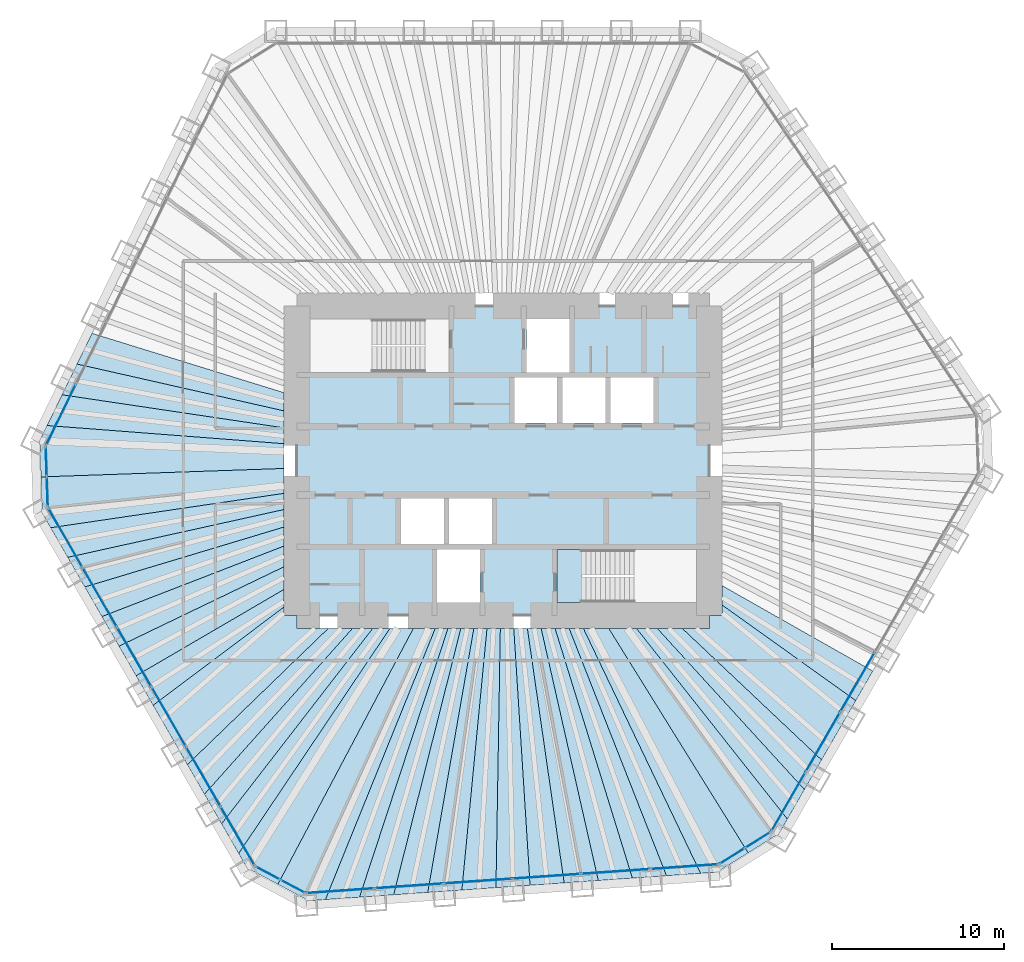
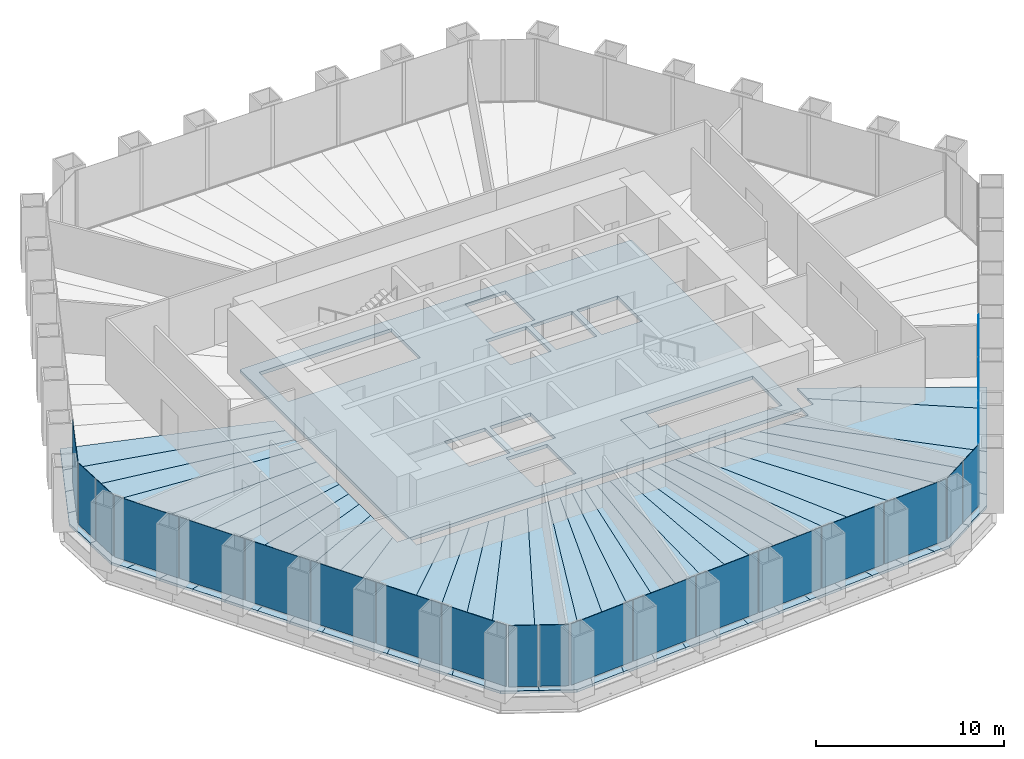
# One storey, part 8 of 13: 36 slabs, 22 plates, 8 elements without a shape of their own.
"""IFC4 building model written with IfcOpenShell, lengths in metres."""

from ifc_helpers import new_model, si_unit, direction, frame, origin, origin_2d, place, context, subcontext, project, spatial, polyline, rectangle, outline, extrude, material, layer, layer_set, type_object, element, aggregate, save


model = new_model("IFC4")

# Units and contexts
model_context = context("Model", 3, precision=1e-05, world=origin(), true_north=direction((0.0, 1.0)))
body_context = subcontext(model_context, "Body", "Model", "MODEL_VIEW")
ifc_project = project(units=[si_unit("LENGTHUNIT", "METRE"), si_unit("AREAUNIT", "SQUARE_METRE"), si_unit("VOLUMEUNIT", "CUBIC_METRE"), si_unit("PLANEANGLEUNIT", "RADIAN"), si_unit("MASSUNIT", "GRAM", prefix="KILO")], contexts=[model_context])

# Site, building, storey
site_placement = place(None, origin())
site = spatial("IfcSite", under=ifc_project, at=site_placement, CompositionType="ELEMENT")
building_placement = place(site_placement, origin())
building = spatial("IfcBuilding", under=site, at=building_placement, Name="Qingtian Harvest Tower", CompositionType="ELEMENT")
storey_placement = place(building_placement, frame((0.0, 0.0, 115.60009765625)))
storey = spatial("IfcBuildingStorey", under=building, at=storey_placement, Name="L23", CompositionType="ELEMENT", Elevation=115.60009765625)

# Slabs
ifc_material_1 = material(Name="Concrete fc' 35 MPa", Category="concrete")
ifc_layer_1 = layer(ifc_material_1, 0.169921875)
ifc_layer_set_1 = layer_set([ifc_layer_1], Name="Composite floor slab FS17 170")
slab_type_1 = type_object("IfcSlabType", Name="Composite floor slab FS17 170", PredefinedType="FLOOR", material=ifc_layer_set_1)
slab_1_placement = place(storey_placement, frame((0.0, 0.0, -0.170166015625)))
element("IfcSlab", 1, at=slab_1_placement, inside=storey, type_object=slab_type_1, Name="Floor slab L23 panel D01", PredefinedType="FLOOR", context=body_context, shape_type="SweptSolid", body=[
    extrude(outline(polyline([(-26.8935546875, -0.939208984375), (-12.75, -0.447998046875), (-12.75, -1.89599609375), (-26.333984375, -3.8984375), (-26.819580078125, -3.056884765625), (-26.8935546875, -0.939208984375)])), origin(), (0.0, 0.0, 1.0), 0.170166015625),
])
slab_2_placement = place(storey_placement, frame((0.0, 0.0, -0.170166015625)))
element("IfcSlab", 2, at=slab_2_placement, inside=storey, type_object=slab_type_1, Name="Floor slab L23 panel D02", PredefinedType="FLOOR", context=body_context, shape_type="SweptSolid", body=[
    extrude(outline(polyline([(-12.75, -2.838134765625), (-25.3388671875, -5.62158203125), (-26.333984375, -3.8984375), (-12.75, -1.89599609375), (-12.75, -2.838134765625)])), origin(), (0.0, 0.0, 1.0), 0.170166015625),
])
slab_3_placement = place(storey_placement, frame((0.0, 0.0, -0.170166015625)))
element("IfcSlab", 3, at=slab_3_placement, inside=storey, type_object=slab_type_1, Name="Floor slab L23 panel D03", PredefinedType="FLOOR", context=body_context, shape_type="SweptSolid", body=[
    extrude(outline(polyline([(-12.75, -3.857666015625), (-24.343994140625, -7.344970703125), (-25.3388671875, -5.62158203125), (-12.75, -2.838134765625), (-12.75, -3.857666015625)])), origin(), (0.0, 0.0, 1.0), 0.170166015625),
])
slab_4_placement = place(storey_placement, frame((0.0, 0.0, -0.170166015625)))
element("IfcSlab", 4, at=slab_4_placement, inside=storey, type_object=slab_type_1, Name="Floor slab L23 panel D04", PredefinedType="FLOOR", context=body_context, shape_type="SweptSolid", body=[
    extrude(outline(polyline([(-12.75, -4.9638671875), (-23.34912109375, -9.068115234375), (-24.343994140625, -7.344970703125), (-12.75, -3.857666015625), (-12.75, -4.9638671875)])), origin(), (0.0, 0.0, 1.0), 0.170166015625),
])
slab_5_placement = place(storey_placement, frame((0.0, 0.0, -0.170166015625)))
element("IfcSlab", 5, at=slab_5_placement, inside=storey, type_object=slab_type_1, Name="Floor slab L23 panel D05", PredefinedType="FLOOR", context=body_context, shape_type="SweptSolid", body=[
    extrude(outline(polyline([(-12.75, -6.1689453125), (-22.354248046875, -10.79150390625), (-23.34912109375, -9.068115234375), (-12.75, -4.9638671875), (-12.75, -6.1689453125)])), origin(), (0.0, 0.0, 1.0), 0.170166015625),
])
slab_6_placement = place(storey_placement, frame((0.0, 0.0, -0.170166015625)))
element("IfcSlab", 6, at=slab_6_placement, inside=storey, type_object=slab_type_1, Name="Floor slab L23 panel D06", PredefinedType="FLOOR", context=body_context, shape_type="SweptSolid", body=[
    extrude(outline(polyline([(-12.75, -7.486328125), (-21.359130859375, -12.5146484375), (-22.354248046875, -10.79150390625), (-12.75, -6.1689453125), (-12.75, -7.486328125)])), origin(), (0.0, 0.0, 1.0), 0.170166015625),
])
slab_7_placement = place(storey_placement, frame((0.0, 0.0, -0.170166015625)))
element("IfcSlab", 7, at=slab_7_placement, inside=storey, type_object=slab_type_1, Name="Floor slab L23 panel D07", PredefinedType="FLOOR", context=body_context, shape_type="SweptSolid", body=[
    extrude(outline(polyline([(-12.75, -8.512451171875), (-20.36865234375, -14.23046875), (-21.359130859375, -12.5146484375), (-12.75, -7.486328125), (-12.75, -8.512451171875)])), origin(), (0.0, 0.0, 1.0), 0.170166015625),
])
slab_8_placement = place(storey_placement, frame((0.0, 0.0, -0.170166015625)))
element("IfcSlab", 8, at=slab_8_placement, inside=storey, type_object=slab_type_1, Name="Floor slab L23 panel D09", PredefinedType="FLOOR", context=body_context, shape_type="SweptSolid", body=[
    extrude(outline(polyline([(-18.375, -17.683837890625), (-20.36865234375, -14.23046875), (-12.75, -8.512451171875), (-12.75, -9.0), (-12.0, -9.0), (-12.0, -9.75), (-10.168212890625, -9.75), (-18.375, -17.683837890625)])), origin(), (0.0, 0.0, 1.0), 0.170166015625),
])
slab_9_placement = place(storey_placement, frame((0.0, 0.0, -0.170166015625)))
element("IfcSlab", 9, at=slab_9_placement, inside=storey, type_object=slab_type_1, Name="Floor slab L23 panel D10", PredefinedType="FLOOR", context=body_context, shape_type="SweptSolid", body=[
    extrude(outline(polyline([(-8.759521484375, -9.75), (-17.3798828125, -19.4072265625), (-18.375, -17.683837890625), (-10.168212890625, -9.75), (-8.759521484375, -9.75)])), origin(), (0.0, 0.0, 1.0), 0.170166015625),
])
slab_10_placement = place(storey_placement, frame((0.0, 0.0, -0.170166015625)))
element("IfcSlab", 10, at=slab_10_placement, inside=storey, type_object=slab_type_1, Name="Floor slab L23 panel D11", PredefinedType="FLOOR", context=body_context, shape_type="SweptSolid", body=[
    extrude(outline(polyline([(-7.58203125, -9.75), (-16.385009765625, -21.13037109375), (-17.3798828125, -19.4072265625), (-8.759521484375, -9.75), (-7.58203125, -9.75)])), origin(), (0.0, 0.0, 1.0), 0.170166015625),
])
slab_11_placement = place(storey_placement, frame((0.0, 0.0, -0.170166015625)))
element("IfcSlab", 11, at=slab_11_placement, inside=storey, type_object=slab_type_1, Name="Floor slab L23 panel D12", PredefinedType="FLOOR", context=body_context, shape_type="SweptSolid", body=[
    extrude(outline(polyline([(-6.5830078125, -9.75), (-15.389892578125, -22.853759765625), (-16.385009765625, -21.13037109375), (-7.58203125, -9.75), (-6.5830078125, -9.75)])), origin(), (0.0, 0.0, 1.0), 0.170166015625),
])
slab_12_placement = place(storey_placement, frame((0.0, 0.0, -0.170166015625)))
element("IfcSlab", 12, at=slab_12_placement, inside=storey, type_object=slab_type_1, Name="Floor slab L23 panel D13", PredefinedType="FLOOR", context=body_context, shape_type="SweptSolid", body=[
    extrude(outline(polyline([(-6.5830078125, -9.75), (-5.21875, -9.75), (-13.107421875, -24.650634765625), (-14.904052734375, -23.6953125), (-15.389892578125, -22.853759765625), (-6.5830078125, -9.75)])), origin(), (0.0, 0.0, 1.0), 0.170166015625),
])
slab_13_placement = place(storey_placement, frame((0.0, 0.0, -0.170166015625)))
element("IfcSlab", 13, at=slab_13_placement, inside=storey, type_object=slab_type_1, Name="Floor slab L23 panel D14", PredefinedType="FLOOR", context=body_context, shape_type="SweptSolid", body=[
    extrude(outline(polyline([(-5.21875, -9.75), (-3.947021484375, -9.75), (-10.3408203125, -25.53857421875), (-11.31005859375, -25.606201171875), (-13.107421875, -24.650634765625), (-5.21875, -9.75)])), origin(), (0.0, 0.0, 1.0), 0.170166015625),
])
slab_14_placement = place(storey_placement, frame((0.0, 0.0, -0.170166015625)))
element("IfcSlab", 14, at=slab_14_placement, inside=storey, type_object=slab_type_1, Name="Floor slab L23 panel D15", PredefinedType="FLOOR", context=body_context, shape_type="SweptSolid", body=[
    extrude(outline(polyline([(-3.20654296875, -9.75), (-8.35595703125, -25.399658203125), (-10.3408203125, -25.53857421875), (-3.947021484375, -9.75), (-3.20654296875, -9.75)])), origin(), (0.0, 0.0, 1.0), 0.170166015625),
])
slab_15_placement = place(storey_placement, frame((0.0, 0.0, -0.170166015625)))
element("IfcSlab", 15, at=slab_15_placement, inside=storey, type_object=slab_type_1, Name="Floor slab L23 panel D16", PredefinedType="FLOOR", context=body_context, shape_type="SweptSolid", body=[
    extrude(outline(polyline([(-2.4580078125, -9.75), (-6.370849609375, -25.260986328125), (-8.35595703125, -25.399658203125), (-3.20654296875, -9.75), (-2.4580078125, -9.75)])), origin(), (0.0, 0.0, 1.0), 0.170166015625),
])
slab_16_placement = place(storey_placement, frame((0.0, 0.0, -0.170166015625)))
element("IfcSlab", 16, at=slab_16_placement, inside=storey, type_object=slab_type_1, Name="Floor slab L23 panel D17", PredefinedType="FLOOR", context=body_context, shape_type="SweptSolid", body=[
    extrude(outline(polyline([(-1.701171875, -9.75), (-4.385986328125, -25.1220703125), (-6.370849609375, -25.260986328125), (-2.4580078125, -9.75), (-1.701171875, -9.75)])), origin(), (0.0, 0.0, 1.0), 0.170166015625),
])
slab_17_placement = place(storey_placement, frame((0.0, 0.0, -0.170166015625)))
element("IfcSlab", 17, at=slab_17_placement, inside=storey, type_object=slab_type_1, Name="Floor slab L23 panel D18", PredefinedType="FLOOR", context=body_context, shape_type="SweptSolid", body=[
    extrude(outline(polyline([(-0.93603515625, -9.75), (-2.40087890625, -24.9833984375), (-4.385986328125, -25.1220703125), (-1.701171875, -9.75), (-0.93603515625, -9.75)])), origin(), (0.0, 0.0, 1.0), 0.170166015625),
])
slab_18_placement = place(storey_placement, frame((0.0, 0.0, -0.170166015625)))
element("IfcSlab", 18, at=slab_18_placement, inside=storey, type_object=slab_type_1, Name="Floor slab L23 panel D19", PredefinedType="FLOOR", context=body_context, shape_type="SweptSolid", body=[
    extrude(outline(polyline([(-0.162109375, -9.75), (-0.416015625, -24.844482421875), (-2.40087890625, -24.9833984375), (-0.93603515625, -9.75), (-0.162109375, -9.75)])), origin(), (0.0, 0.0, 1.0), 0.170166015625),
])
slab_19_placement = place(storey_placement, frame((0.0, 0.0, -0.170166015625)))
element("IfcSlab", 19, at=slab_19_placement, inside=storey, type_object=slab_type_1, Name="Floor slab L23 panel D20", PredefinedType="FLOOR", context=body_context, shape_type="SweptSolid", body=[
    extrude(outline(polyline([(0.620361328125, -9.75), (1.569091796875, -24.705810546875), (-0.416015625, -24.844482421875), (-0.162109375, -9.75), (0.620361328125, -9.75)])), origin(), (0.0, 0.0, 1.0), 0.170166015625),
])
slab_20_placement = place(storey_placement, frame((0.0, 0.0, -0.170166015625)))
element("IfcSlab", 20, at=slab_20_placement, inside=storey, type_object=slab_type_1, Name="Floor slab L23 panel D21", PredefinedType="FLOOR", context=body_context, shape_type="SweptSolid", body=[
    extrude(outline(polyline([(1.41162109375, -9.75), (3.553955078125, -24.56689453125), (1.569091796875, -24.705810546875), (0.620361328125, -9.75), (1.41162109375, -9.75)])), origin(), (0.0, 0.0, 1.0), 0.170166015625),
])
slab_21_placement = place(storey_placement, frame((0.0, 0.0, -0.170166015625)))
element("IfcSlab", 21, at=slab_21_placement, inside=storey, type_object=slab_type_1, Name="Floor slab L23 panel D22", PredefinedType="FLOOR", context=body_context, shape_type="SweptSolid", body=[
    extrude(outline(polyline([(2.2119140625, -9.75), (5.5390625, -24.42822265625), (3.553955078125, -24.56689453125), (1.41162109375, -9.75), (2.2119140625, -9.75)])), origin(), (0.0, 0.0, 1.0), 0.170166015625),
])
slab_22_placement = place(storey_placement, frame((0.0, 0.0, -0.170166015625)))
element("IfcSlab", 22, at=slab_22_placement, inside=storey, type_object=slab_type_1, Name="Floor slab L23 panel D23", PredefinedType="FLOOR", context=body_context, shape_type="SweptSolid", body=[
    extrude(outline(polyline([(3.021484375, -9.75), (7.524169921875, -24.289306640625), (5.5390625, -24.42822265625), (2.2119140625, -9.75), (3.021484375, -9.75)])), origin(), (0.0, 0.0, 1.0), 0.170166015625),
])
slab_23_placement = place(storey_placement, frame((0.0, 0.0, -0.170166015625)))
element("IfcSlab", 23, at=slab_23_placement, inside=storey, type_object=slab_type_1, Name="Floor slab L23 panel D24", PredefinedType="FLOOR", context=body_context, shape_type="SweptSolid", body=[
    extrude(outline(polyline([(3.840087890625, -9.75), (9.509033203125, -24.150390625), (7.524169921875, -24.289306640625), (3.021484375, -9.75), (3.840087890625, -9.75)])), origin(), (0.0, 0.0, 1.0), 0.170166015625),
])
slab_24_placement = place(storey_placement, frame((0.0, 0.0, -0.170166015625)))
element("IfcSlab", 24, at=slab_24_placement, inside=storey, type_object=slab_type_1, Name="Floor slab L23 panel D25", PredefinedType="FLOOR", context=body_context, shape_type="SweptSolid", body=[
    extrude(outline(polyline([(4.66845703125, -9.75), (11.494140625, -24.01171875), (9.509033203125, -24.150390625), (3.840087890625, -9.75), (4.66845703125, -9.75)])), origin(), (0.0, 0.0, 1.0), 0.170166015625),
])
slab_25_placement = place(storey_placement, frame((0.0, 0.0, -0.170166015625)))
element("IfcSlab", 25, at=slab_25_placement, inside=storey, type_object=slab_type_1, Name="Floor slab L23 panel D26", PredefinedType="FLOOR", context=body_context, shape_type="SweptSolid", body=[
    extrude(outline(polyline([(4.66845703125, -9.75), (6.14404296875, -9.75), (14.2607421875, -22.820556640625), (12.463134765625, -23.94384765625), (11.494140625, -24.01171875), (4.66845703125, -9.75)])), origin(), (0.0, 0.0, 1.0), 0.170166015625),
])
slab_26_placement = place(storey_placement, frame((0.0, 0.0, -0.170166015625)))
element("IfcSlab", 26, at=slab_26_placement, inside=storey, type_object=slab_type_1, Name="Floor slab L23 panel D27", PredefinedType="FLOOR", context=body_context, shape_type="SweptSolid", body=[
    extrude(outline(polyline([(6.14404296875, -9.75), (7.756103515625, -9.75), (16.543212890625, -20.8564453125), (16.05712890625, -21.697998046875), (14.2607421875, -22.820556640625), (6.14404296875, -9.75)])), origin(), (0.0, 0.0, 1.0), 0.170166015625),
])
slab_27_placement = place(storey_placement, frame((0.0, 0.0, -0.170166015625)))
element("IfcSlab", 27, at=slab_27_placement, inside=storey, type_object=slab_type_1, Name="Floor slab L23 panel D28", PredefinedType="FLOOR", context=body_context, shape_type="SweptSolid", body=[
    extrude(outline(polyline([(8.966552734375, -9.75), (17.5380859375, -19.133056640625), (16.543212890625, -20.8564453125), (7.756103515625, -9.75), (8.966552734375, -9.75)])), origin(), (0.0, 0.0, 1.0), 0.170166015625),
])
slab_28_placement = place(storey_placement, frame((0.0, 0.0, -0.170166015625)))
element("IfcSlab", 28, at=slab_28_placement, inside=storey, type_object=slab_type_1, Name="Floor slab L23 panel D29", PredefinedType="FLOOR", context=body_context, shape_type="SweptSolid", body=[
    extrude(outline(polyline([(10.41796875, -9.75), (18.532958984375, -17.40966796875), (17.5380859375, -19.133056640625), (8.966552734375, -9.75), (10.41796875, -9.75)])), origin(), (0.0, 0.0, 1.0), 0.170166015625),
])
slab_29_placement = place(storey_placement, frame((0.0, 0.0, -0.170166015625)))
element("IfcSlab", 29, at=slab_29_placement, inside=storey, type_object=slab_type_1, Name="Floor slab L23 panel D31", PredefinedType="FLOOR", context=body_context, shape_type="SweptSolid", body=[
    extrude(outline(polyline([(12.75, -8.398681640625), (20.525390625, -13.958740234375), (18.532958984375, -17.40966796875), (10.41796875, -9.75), (12.0, -9.75), (12.0, -9.0), (12.75, -9.0), (12.75, -8.398681640625)])), origin(), (0.0, 0.0, 1.0), 0.170166015625),
])
slab_30_placement = place(storey_placement, frame((0.0, 0.0, -0.170166015625)))
element("IfcSlab", 30, at=slab_30_placement, inside=storey, type_object=slab_type_1, Name="Floor slab L23 panel D32", PredefinedType="FLOOR", context=body_context, shape_type="SweptSolid", body=[
    extrude(outline(polyline([(12.75, -7.268798828125), (21.517333984375, -12.24072265625), (20.525390625, -13.958740234375), (12.75, -8.398681640625), (12.75, -7.268798828125)])), origin(), (0.0, 0.0, 1.0), 0.170166015625),
])
slab_31_placement = place(storey_placement, frame((0.0, 0.0, -0.170166015625)))
element("IfcSlab", 31, at=slab_31_placement, inside=storey, type_object=slab_type_1, Name="Floor slab L23 panel D75", PredefinedType="FLOOR", context=body_context, shape_type="SweptSolid", body=[
    extrude(outline(polyline([(-12.75, 2.903076171875), (-24.797119140625, 5.62890625), (-23.9248046875, 7.417236328125), (-12.75, 3.962646484375), (-12.75, 2.903076171875)])), origin(), (0.0, 0.0, 1.0), 0.170166015625),
])
slab_32_placement = place(storey_placement, frame((0.0, 0.0, -0.170166015625)))
element("IfcSlab", 32, at=slab_32_placement, inside=storey, type_object=slab_type_1, Name="Floor slab L23 panel D76", PredefinedType="FLOOR", context=body_context, shape_type="SweptSolid", body=[
    extrude(outline(polyline([(-12.75, 1.91552734375), (-25.66943359375, 3.84033203125), (-24.797119140625, 5.62890625), (-12.75, 2.903076171875), (-12.75, 1.91552734375)])), origin(), (0.0, 0.0, 1.0), 0.170166015625),
])
slab_33_placement = place(storey_placement, frame((0.0, 0.0, -0.170166015625)))
element("IfcSlab", 33, at=slab_33_placement, inside=storey, type_object=slab_type_1, Name="Floor slab L23 panel D77", PredefinedType="FLOOR", context=body_context, shape_type="SweptSolid", body=[
    extrude(outline(polyline([(-12.75, 0.992919921875), (-26.541748046875, 2.0517578125), (-25.66943359375, 3.84033203125), (-12.75, 1.91552734375), (-12.75, 0.992919921875)])), origin(), (0.0, 0.0, 1.0), 0.170166015625),
])
slab_34_placement = place(storey_placement, frame((0.0, 0.0, -0.170166015625)))
element("IfcSlab", 34, at=slab_34_placement, inside=storey, type_object=slab_type_1, Name="Floor slab L23 panel D78", PredefinedType="FLOOR", context=body_context, shape_type="SweptSolid", body=[
    extrude(outline(polyline([(-12.75, 0.992919921875), (-12.75, -0.447998046875), (-26.8935546875, -0.939208984375), (-26.967529296875, 1.1787109375), (-26.541748046875, 2.0517578125), (-12.75, 0.992919921875)])), origin(), (0.0, 0.0, 1.0), 0.170166015625),
])
ifc_material_2 = material(Name="Concrete fc' 35 MPa", Category="concrete")
ifc_layer_2 = layer(ifc_material_2, 0.219970703125)
ifc_layer_set_2 = layer_set([ifc_layer_2], Name="Core floor slab CS22 220")
slab_type_2 = type_object("IfcSlabType", Name="Core floor slab CS22 220", PredefinedType="FLOOR", material=ifc_layer_set_2)
slab_35_placement = place(storey_placement, frame((0.0, 0.0, -0.22021484375)))
element("IfcSlab", 35, at=slab_35_placement, inside=storey, type_object=slab_type_2, Name="Core floor slab L23", PredefinedType="FLOOR", context=body_context, shape_type="SweptSolid", body=[
    extrude(outline(polyline([(-12.0, -9.0), (12.0, -9.0), (12.0, 9.0), (-12.0, 9.0), (-12.0, -9.0)]), holes=[polyline([(-11.25, 5.14990234375), (-3.14990234375, 5.14990234375), (-3.14990234375, 8.25), (-11.25, 8.25), (-11.25, 5.14990234375)]), polyline([(3.14990234375, -8.25), (11.25, -8.25), (11.25, -5.14990234375), (3.14990234375, -5.14990234375), (3.14990234375, -8.25)]), polyline([(1.35009765625, 5.14990234375), (3.85009765625, 5.14990234375), (3.85009765625, 8.25), (1.35009765625, 8.25), (1.35009765625, 5.14990234375)]), polyline([(-3.85009765625, -8.25), (-1.35009765625, -8.25), (-1.35009765625, -5.14990234375), (-3.85009765625, -5.14990234375), (-3.85009765625, -8.25)]), polyline([(0.64990234375, 2.199951171875), (3.14990234375, 2.199951171875), (3.14990234375, 4.85009765625), (0.64990234375, 4.85009765625), (0.64990234375, 2.199951171875)]), polyline([(3.449951171875, 2.199951171875), (5.949951171875, 2.199951171875), (5.949951171875, 4.85009765625), (3.449951171875, 4.85009765625), (3.449951171875, 2.199951171875)]), polyline([(6.25, 2.199951171875), (8.75, 2.199951171875), (8.75, 4.85009765625), (6.25, 4.85009765625), (6.25, 2.199951171875)]), polyline([(-5.949951171875, -4.85009765625), (-3.449951171875, -4.85009765625), (-3.449951171875, -2.199951171875), (-5.949951171875, -2.199951171875), (-5.949951171875, -4.85009765625)]), polyline([(-3.14990234375, -4.85009765625), (-0.64990234375, -4.85009765625), (-0.64990234375, -2.199951171875), (-3.14990234375, -2.199951171875), (-3.14990234375, -4.85009765625)])]), origin(), (0.0, 0.0, 1.0), 0.22021484375),
])

# Curtain wall, plates
ifc_material_3 = material(Name="Bronze-anodised aluminium curtain wall", Category="aluminium")
curtain_wall_type = type_object("IfcCurtainWallType", Name="Curtain wall CW4 office", PredefinedType="USERDEFINED", material=ifc_material_3)
curtain_wall_1_placement = place(storey_placement, origin())
curtain_wall_1 = element("IfcCurtainWall", 36, at=curtain_wall_1_placement, inside=storey, type_object=curtain_wall_type, Name="Curtain wall CW4 L23 SE0-5", ObjectType="RECESSED CURTAIN WALL", PredefinedType="USERDEFINED")
ifc_material_4 = material(Name="Bronze-tinted laminated insulating glass", Category="glass")
ifc_layer_3 = layer(ifc_material_4, 0.030029296875)
ifc_layer_set_3 = layer_set([ifc_layer_3], Name="Glazed panel CWP tinted IGU")
plate_type = type_object("IfcPlateType", Name="Glazed panel CWP tinted IGU", PredefinedType="CURTAIN_PANEL", material=ifc_layer_set_3)
plate_1_placement = place(storey_placement, frame((20.621826171875, -12.8818359375, 0.06494140625), z_axis=(0.0, 0.0, 1.0), x_axis=(-0.5, -0.866025403784, 0.0)))
plate_1 = element("IfcPlate", 37, at=plate_1_placement, type_object=plate_type, Name="CW4 panel 4.1", PredefinedType="CURTAIN_PANEL", context=body_context, shape_type="SweptSolid", body=[
    extrude(rectangle(XDim=3.9541015625, YDim=0.030029296875, at=origin_2d()), origin(), (0.0, 0.0, 1.0), 3.965087890625),
])
plate_2_placement = place(storey_placement, frame((18.6123046875, -16.362548828125, 0.06494140625), z_axis=(0.0, 0.0, 1.0), x_axis=(-0.5, -0.866025403784, 0.0)))
plate_2 = element("IfcPlate", 38, at=plate_2_placement, type_object=plate_type, Name="CW4 panel 5.1", PredefinedType="CURTAIN_PANEL", context=body_context, shape_type="SweptSolid", body=[
    extrude(rectangle(XDim=3.9541015625, YDim=0.030029296875, at=origin_2d()), origin(), (0.0, 0.0, 1.0), 3.965087890625),
])
plate_3_placement = place(storey_placement, frame((16.61083984375, -19.8291015625, 0.06494140625), z_axis=(0.0, 0.0, 1.0), x_axis=(-0.5, -0.866025403784, 0.0)))
plate_3 = element("IfcPlate", 39, at=plate_3_placement, type_object=plate_type, Name="CW4 panel 6.1", PredefinedType="CURTAIN_PANEL", context=body_context, shape_type="SweptSolid", body=[
    extrude(rectangle(XDim=3.921630859375, YDim=0.030029296875, at=origin_2d()), origin(), (0.0, 0.0, 1.0), 3.965087890625),
])
aggregate(curtain_wall_1, [plate_1, plate_2, plate_3])

curtain_wall_2_placement = place(storey_placement, origin())
curtain_wall_2 = element("IfcCurtainWall", 40, at=curtain_wall_2_placement, inside=storey, type_object=curtain_wall_type, Name="Curtain wall CW4 L23 SEC", ObjectType="RECESSED CURTAIN WALL", PredefinedType="USERDEFINED")
plate_4_placement = place(storey_placement, frame((14.8251953125, -22.06640625, 0.06494140625), z_axis=(0.0, 0.0, 1.0), x_axis=(-0.848048096156, -0.529919264233, 0.0)))
plate_4 = element("IfcPlate", 41, at=plate_4_placement, type_object=plate_type, Name="CW4 panel 1.1", PredefinedType="CURTAIN_PANEL", context=body_context, shape_type="SweptSolid", body=[
    extrude(rectangle(XDim=1.69287109375, YDim=0.030029296875, at=origin_2d()), origin(), (0.0, 0.0, 1.0), 3.965087890625),
])
plate_5_placement = place(storey_placement, frame((13.334228515625, -22.998046875, 0.06494140625), z_axis=(0.0, 0.0, 1.0), x_axis=(-0.848048096156, -0.529919264233, 0.0)))
plate_5 = element("IfcPlate", 42, at=plate_5_placement, type_object=plate_type, Name="CW4 panel 2.1", PredefinedType="CURTAIN_PANEL", context=body_context, shape_type="SweptSolid", body=[
    extrude(rectangle(XDim=1.69287109375, YDim=0.030029296875, at=origin_2d()), origin(), (0.0, 0.0, 1.0), 3.965087890625),
])
aggregate(curtain_wall_2, [plate_4, plate_5])

curtain_wall_3_placement = place(storey_placement, origin())
curtain_wall_3 = element("IfcCurtainWall", 43, at=curtain_wall_3_placement, inside=storey, type_object=curtain_wall_type, Name="Curtain wall CW4 L23 S0-5", ObjectType="RECESSED CURTAIN WALL", PredefinedType="USERDEFINED")
plate_6_placement = place(storey_placement, frame((10.54052734375, -23.622314453125, 0.06494140625), z_axis=(0.0, 0.0, 1.0), x_axis=(-0.99756405026, -0.069756473744, 0.0)))
plate_6 = element("IfcPlate", 44, at=plate_6_placement, type_object=plate_type, Name="CW4 panel 1.1", PredefinedType="CURTAIN_PANEL", context=body_context, shape_type="SweptSolid", body=[
    extrude(rectangle(XDim=3.921630859375, YDim=0.030029296875, at=origin_2d()), origin(), (0.0, 0.0, 1.0), 3.965087890625),
])
plate_7_placement = place(storey_placement, frame((6.54736328125, -23.901611328125, 0.06494140625), z_axis=(0.0, 0.0, 1.0), x_axis=(-0.99756405026, -0.069756473744, 0.0)))
plate_7 = element("IfcPlate", 45, at=plate_7_placement, type_object=plate_type, Name="CW4 panel 2.1", PredefinedType="CURTAIN_PANEL", context=body_context, shape_type="SweptSolid", body=[
    extrude(rectangle(XDim=3.9541015625, YDim=0.030029296875, at=origin_2d()), origin(), (0.0, 0.0, 1.0), 3.965087890625),
])
plate_8_placement = place(storey_placement, frame((2.5380859375, -24.181884765625, 0.06494140625), z_axis=(0.0, 0.0, 1.0), x_axis=(-0.99756405026, -0.069756473744, 0.0)))
plate_8 = element("IfcPlate", 46, at=plate_8_placement, type_object=plate_type, Name="CW4 panel 3.1", PredefinedType="CURTAIN_PANEL", context=body_context, shape_type="SweptSolid", body=[
    extrude(rectangle(XDim=3.9541015625, YDim=0.030029296875, at=origin_2d()), origin(), (0.0, 0.0, 1.0), 3.965087890625),
])
plate_9_placement = place(storey_placement, frame((-1.47119140625, -24.462158203125, 0.06494140625), z_axis=(0.0, 0.0, 1.0), x_axis=(-0.99756405026, -0.069756473744, 0.0)))
plate_9 = element("IfcPlate", 47, at=plate_9_placement, type_object=plate_type, Name="CW4 panel 4.1", PredefinedType="CURTAIN_PANEL", context=body_context, shape_type="SweptSolid", body=[
    extrude(rectangle(XDim=3.9541015625, YDim=0.030029296875, at=origin_2d()), origin(), (0.0, 0.0, 1.0), 3.965087890625),
])
plate_10_placement = place(storey_placement, frame((-5.48046875, -24.74267578125, 0.06494140625), z_axis=(0.0, 0.0, 1.0), x_axis=(-0.99756405026, -0.069756473744, 0.0)))
plate_10 = element("IfcPlate", 48, at=plate_10_placement, type_object=plate_type, Name="CW4 panel 5.1", PredefinedType="CURTAIN_PANEL", context=body_context, shape_type="SweptSolid", body=[
    extrude(rectangle(XDim=3.9541015625, YDim=0.030029296875, at=origin_2d()), origin(), (0.0, 0.0, 1.0), 3.965087890625),
])
plate_11_placement = place(storey_placement, frame((-9.4736328125, -25.021728515625, 0.06494140625), z_axis=(0.0, 0.0, 1.0), x_axis=(-0.99756405026, -0.069756473744, 0.0)))
plate_11 = element("IfcPlate", 49, at=plate_11_placement, type_object=plate_type, Name="CW4 panel 6.1", PredefinedType="CURTAIN_PANEL", context=body_context, shape_type="SweptSolid", body=[
    extrude(rectangle(XDim=3.921630859375, YDim=0.030029296875, at=origin_2d()), origin(), (0.0, 0.0, 1.0), 3.965087890625),
])
aggregate(curtain_wall_3, [plate_6, plate_7, plate_8, plate_9, plate_10, plate_11])

curtain_wall_4_placement = place(storey_placement, origin())
curtain_wall_4 = element("IfcCurtainWall", 50, at=curtain_wall_4_placement, inside=storey, type_object=curtain_wall_type, Name="Curtain wall CW4 L23 SC", ObjectType="RECESSED CURTAIN WALL", PredefinedType="USERDEFINED")
plate_12_placement = place(storey_placement, frame((-12.24365234375, -24.764892578125, 0.06494140625), z_axis=(0.0, 0.0, 1.0), x_axis=(-0.882947592859, 0.469471562786, 0.0)))
plate_12 = element("IfcPlate", 51, at=plate_12_placement, type_object=plate_type, Name="CW4 panel 1.1", PredefinedType="CURTAIN_PANEL", context=body_context, shape_type="SweptSolid", body=[
    extrude(rectangle(XDim=1.56689453125, YDim=0.030029296875, at=origin_2d()), origin(), (0.0, 0.0, 1.0), 3.965087890625),
])
plate_13_placement = place(storey_placement, frame((-13.684326171875, -23.998779296875, 0.06494140625), z_axis=(0.0, 0.0, 1.0), x_axis=(-0.882947592859, 0.469471562786, 0.0)))
plate_13 = element("IfcPlate", 52, at=plate_13_placement, type_object=plate_type, Name="CW4 panel 2.1", PredefinedType="CURTAIN_PANEL", context=body_context, shape_type="SweptSolid", body=[
    extrude(rectangle(XDim=1.56689453125, YDim=0.030029296875, at=origin_2d()), origin(), (0.0, 0.0, 1.0), 3.965087890625),
])
aggregate(curtain_wall_4, [plate_12, plate_13])

curtain_wall_5_placement = place(storey_placement, origin())
curtain_wall_5 = element("IfcCurtainWall", 53, at=curtain_wall_5_placement, inside=storey, type_object=curtain_wall_type, Name="Curtain wall CW4 L23 SW0-5", ObjectType="RECESSED CURTAIN WALL", PredefinedType="USERDEFINED")
plate_14_placement = place(storey_placement, frame((-15.446533203125, -21.845947265625, 0.06494140625), z_axis=(0.0, 0.0, 1.0), x_axis=(-0.5, 0.866025403784, 0.0)))
plate_14 = element("IfcPlate", 54, at=plate_14_placement, type_object=plate_type, Name="CW4 panel 1.1", PredefinedType="CURTAIN_PANEL", context=body_context, shape_type="SweptSolid", body=[
    extrude(rectangle(XDim=3.921630859375, YDim=0.030029296875, at=origin_2d()), origin(), (0.0, 0.0, 1.0), 3.965087890625),
])
plate_15_placement = place(storey_placement, frame((-17.44775390625, -18.37939453125, 0.06494140625), z_axis=(0.0, 0.0, 1.0), x_axis=(-0.5, 0.866025403784, 0.0)))
plate_15 = element("IfcPlate", 55, at=plate_15_placement, type_object=plate_type, Name="CW4 panel 2.1", PredefinedType="CURTAIN_PANEL", context=body_context, shape_type="SweptSolid", body=[
    extrude(rectangle(XDim=3.9541015625, YDim=0.030029296875, at=origin_2d()), origin(), (0.0, 0.0, 1.0), 3.965087890625),
])
plate_16_placement = place(storey_placement, frame((-19.45751953125, -14.898681640625, 0.06494140625), z_axis=(0.0, 0.0, 1.0), x_axis=(-0.5, 0.866025403784, 0.0)))
plate_16 = element("IfcPlate", 56, at=plate_16_placement, type_object=plate_type, Name="CW4 panel 3.1", PredefinedType="CURTAIN_PANEL", context=body_context, shape_type="SweptSolid", body=[
    extrude(rectangle(XDim=3.9541015625, YDim=0.030029296875, at=origin_2d()), origin(), (0.0, 0.0, 1.0), 3.965087890625),
])
plate_17_placement = place(storey_placement, frame((-21.467041015625, -11.418212890625, 0.06494140625), z_axis=(0.0, 0.0, 1.0), x_axis=(-0.5, 0.866025403784, 0.0)))
plate_17 = element("IfcPlate", 57, at=plate_17_placement, type_object=plate_type, Name="CW4 panel 4.1", PredefinedType="CURTAIN_PANEL", context=body_context, shape_type="SweptSolid", body=[
    extrude(rectangle(XDim=3.9541015625, YDim=0.030029296875, at=origin_2d()), origin(), (0.0, 0.0, 1.0), 3.965087890625),
])
plate_18_placement = place(storey_placement, frame((-23.4765625, -7.9375, 0.06494140625), z_axis=(0.0, 0.0, 1.0), x_axis=(-0.5, 0.866025403784, 0.0)))
plate_18 = element("IfcPlate", 58, at=plate_18_placement, type_object=plate_type, Name="CW4 panel 5.1", PredefinedType="CURTAIN_PANEL", context=body_context, shape_type="SweptSolid", body=[
    extrude(rectangle(XDim=3.9541015625, YDim=0.030029296875, at=origin_2d()), origin(), (0.0, 0.0, 1.0), 3.965087890625),
])
plate_19_placement = place(storey_placement, frame((-25.477783203125, -4.470947265625, 0.06494140625), z_axis=(0.0, 0.0, 1.0), x_axis=(-0.5, 0.866025403784, 0.0)))
plate_19 = element("IfcPlate", 59, at=plate_19_placement, type_object=plate_type, Name="CW4 panel 6.1", PredefinedType="CURTAIN_PANEL", context=body_context, shape_type="SweptSolid", body=[
    extrude(rectangle(XDim=3.921630859375, YDim=0.030029296875, at=origin_2d()), origin(), (0.0, 0.0, 1.0), 3.965087890625),
])
aggregate(curtain_wall_5, [plate_14, plate_15, plate_16, plate_17, plate_18, plate_19])

curtain_wall_6_placement = place(storey_placement, origin())
curtain_wall_6 = element("IfcCurtainWall", 60, at=curtain_wall_6_placement, inside=storey, type_object=curtain_wall_type, Name="Curtain wall CW4 L23 SWC", ObjectType="RECESSED CURTAIN WALL", PredefinedType="USERDEFINED")
plate_20_placement = place(storey_placement, frame((-26.522705078125, -1.8056640625, 0.06494140625), z_axis=(0.0, 0.0, 1.0), x_axis=(-0.034899496703, 0.999390827019, 0.0)))
plate_20 = element("IfcPlate", 61, at=plate_20_placement, type_object=plate_type, Name="CW4 panel 1.1", PredefinedType="CURTAIN_PANEL", context=body_context, shape_type="SweptSolid", body=[
    extrude(rectangle(XDim=1.69287109375, YDim=0.030029296875, at=origin_2d()), origin(), (0.0, 0.0, 1.0), 3.965087890625),
])
plate_21_placement = place(storey_placement, frame((-26.583984375, -0.048828125, 0.06494140625), z_axis=(0.0, 0.0, 1.0), x_axis=(-0.034899496703, 0.999390827019, 0.0)))
plate_21 = element("IfcPlate", 62, at=plate_21_placement, type_object=plate_type, Name="CW4 panel 2.1", PredefinedType="CURTAIN_PANEL", context=body_context, shape_type="SweptSolid", body=[
    extrude(rectangle(XDim=1.69287109375, YDim=0.030029296875, at=origin_2d()), origin(), (0.0, 0.0, 1.0), 3.965087890625),
])
aggregate(curtain_wall_6, [plate_20, plate_21])

# Curtain wall, plate
curtain_wall_7_placement = place(storey_placement, origin())
curtain_wall_7 = element("IfcCurtainWall", 63, at=curtain_wall_7_placement, inside=storey, type_object=curtain_wall_type, Name="Curtain wall CW4 L23 NW0-5", ObjectType="RECESSED CURTAIN WALL", PredefinedType="USERDEFINED")
plate_22_placement = place(storey_placement, frame((-25.727783203125, 2.682861328125, 0.06494140625), z_axis=(0.0, 0.0, 1.0), x_axis=(0.438371146789, 0.898794046299, 0.0)))
plate_22 = element("IfcPlate", 64, at=plate_22_placement, type_object=plate_type, Name="CW4 panel 1.1", PredefinedType="CURTAIN_PANEL", context=body_context, shape_type="SweptSolid", body=[
    extrude(rectangle(XDim=3.921630859375, YDim=0.030029296875, at=origin_2d()), origin(), (0.0, 0.0, 1.0), 3.965087890625),
])
aggregate(curtain_wall_7, [plate_22])

# Stair, slab
ifc_material_5 = material(Name="Concrete fc' 35 MPa", Category="concrete")
stair_type = type_object("IfcStairType", Name="Special stair ST3 4200", PredefinedType="HALF_TURN_STAIR", material=ifc_material_5)
stair_placement = place(storey_placement, origin())
stair = element("IfcStair", 65, at=stair_placement, inside=storey, type_object=stair_type, Name="Special stair S2 L23", PredefinedType="HALF_TURN_STAIR")
ifc_material_6 = material(Name="Concrete fc' 35 MPa", Category="concrete")
ifc_layer_4 = layer(ifc_material_6, 0.199951171875)
ifc_layer_set_4 = layer_set([ifc_layer_4], Name="Stair landing SL2 200")
slab_type_3 = type_object("IfcSlabType", Name="Stair landing SL2 200", PredefinedType="LANDING", material=ifc_layer_set_4)
slab_36_placement = place(storey_placement, frame((0.0, 0.0, -0.2001953125)))
slab_36 = element("IfcSlab", 66, at=slab_36_placement, type_object=slab_type_3, Name="S2 landing 1", PredefinedType="LANDING", context=body_context, shape_type="SweptSolid", body=[
    extrude(outline(polyline([(5.0849609375, -8.25), (3.14990234375, -8.25), (3.14990234375, -5.14990234375), (4.64990234375, -5.14990234375), (4.64990234375, -6.64990234375), (4.550048828125, -6.64990234375), (4.550048828125, -6.75), (5.0849609375, -6.75), (5.0849609375, -8.25)])), origin(), (0.0, 0.0, 1.0), 0.2001953125),
])
aggregate(stair, [slab_36])

save(model, "model.ifc")
